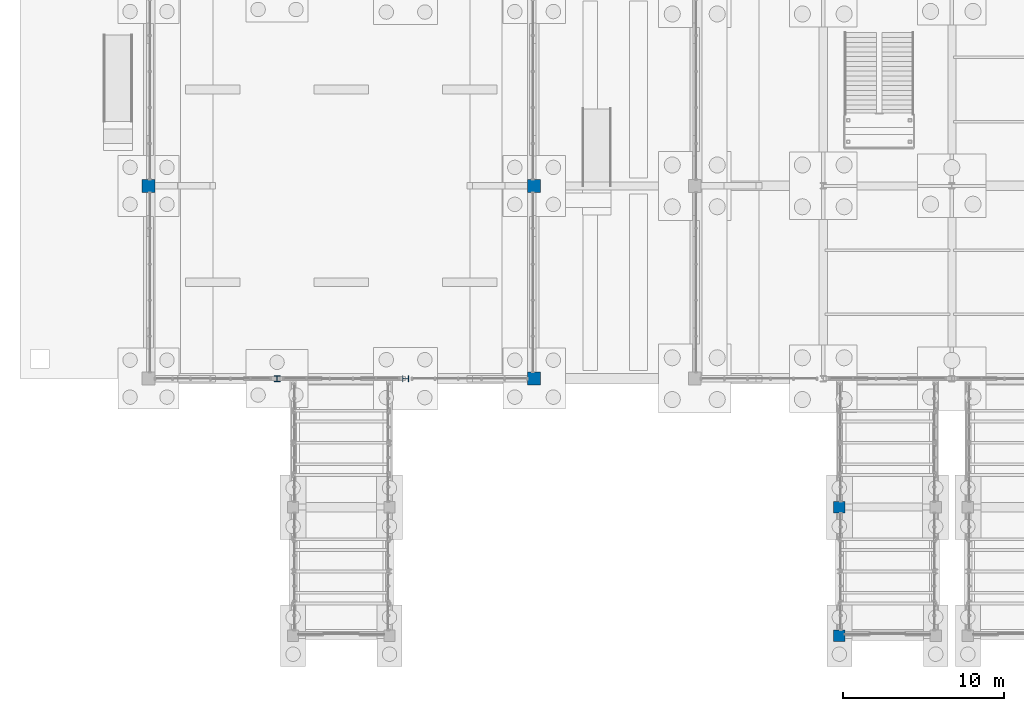
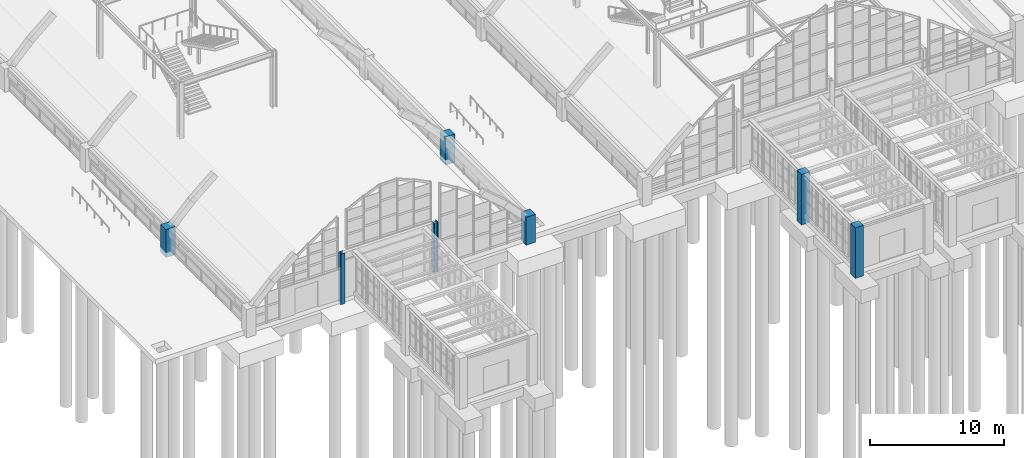
# One storey, part 12 of 129: 7 columns.
"""IFC4 building model written with IfcOpenShell, lengths in metres."""

from ifc_helpers import new_model, si_unit, direction, frame, origin, origin_2d, place, context, subcontext, project, spatial, rectangle, i_section, extrude, material, material_profile, profile_set, type_object, element, save


model = new_model("IFC4")

# Units and contexts
model_context = context("Model", 3, precision=1e-05, world=origin(), true_north=direction((0.0, 1.0)))
body_context = subcontext(model_context, "Body", "Model", "MODEL_VIEW")
ifc_project = project(units=[si_unit("LENGTHUNIT", "METRE"), si_unit("AREAUNIT", "SQUARE_METRE"), si_unit("VOLUMEUNIT", "CUBIC_METRE"), si_unit("PLANEANGLEUNIT", "RADIAN"), si_unit("MASSUNIT", "GRAM", prefix="KILO")], contexts=[model_context])

# Site, building, storey
site_placement = place(None, origin())
site = spatial("IfcSite", under=ifc_project, at=site_placement, CompositionType="ELEMENT")
building_placement = place(site_placement, origin())
building = spatial("IfcBuilding", under=site, at=building_placement, Name="Sitalva Quay Ferry Terminal", CompositionType="ELEMENT")
storey_placement = place(building_placement, origin())
storey = spatial("IfcBuildingStorey", under=building, at=storey_placement, Name="L01", CompositionType="ELEMENT", Elevation=0.0)

# Columns
ifc_material_1 = material(Name="Concrete C35/45", Category="concrete")
ifc_material_profile_1 = material_profile(ifc_material_1, rectangle(XDim=0.699951171875, YDim=0.699951171875, at=origin_2d()), Name="RC700x700")
ifc_profile_set_1 = profile_set([ifc_material_profile_1], Name="Concrete C35/45")
column_type_1 = type_object("IfcColumnType", Name="Col_RC700x700", PredefinedType="COLUMN", material=ifc_profile_set_1)
for number, where, z_axis, x_axis, name in (
    (1, (51.0, -10.0, -0.449951171875), (0.0, 0.0, 1.0), (1.0, 0.0, 0.0), "L01 column X510A"),
    (2, (51.0, -2.0, -0.449951171875), (0.0, 0.0, 1.0), (1.0, 0.0, 0.0), "L01 column X510B"),
):
    element("IfcColumn", number, at=place(storey_placement, frame(where, z_axis=z_axis, x_axis=x_axis)), inside=storey, type_object=column_type_1, Name=name, PredefinedType="COLUMN", context=body_context, shape_type="SweptSolid", body=[
        extrude(rectangle(XDim=0.699951171875, YDim=0.699951171875, at=origin_2d()), origin(), (0.0, 0.0, 1.0), 4.579833984375),
    ])
ifc_material_2 = material(Name="Concrete C40/50", Category="concrete")
ifc_material_profile_2 = material_profile(ifc_material_2, rectangle(XDim=0.800048828125, YDim=0.800048828125, at=origin_2d()), Name="RC800x800")
ifc_profile_set_2 = profile_set([ifc_material_profile_2], Name="Concrete C40/50")
column_type_2 = type_object("IfcColumnType", Name="Col_RC800x800", PredefinedType="COLUMN", material=ifc_profile_set_2)
for number, where, z_axis, x_axis, name in (
    (3, (32.0, 6.0, -0.449951171875), (0.0, 0.0, 1.0), (1.0, 0.0, 0.0), "L01 column 5C"),
    (4, (8.0, 18.0, -0.449951171875), (0.0, 0.0, 1.0), (1.0, 0.0, 0.0), "L01 column 2D"),
    (5, (32.0, 18.0, -0.449951171875), (0.0, 0.0, 1.0), (1.0, 0.0, 0.0), "L01 column 5D"),
):
    element("IfcColumn", number, at=place(storey_placement, frame(where, z_axis=z_axis, x_axis=x_axis)), inside=storey, type_object=column_type_2, Name=name, PredefinedType="COLUMN", context=body_context, shape_type="SweptSolid", body=[
        extrude(rectangle(XDim=0.800048828125, YDim=0.800048828125, at=origin_2d()), origin(), (0.0, 0.0, 1.0), 2.550048828125),
    ])
ifc_material_3 = material(Name="Structural Steel S355JR", Category="steel")
ifc_material_profile_3 = material_profile(ifc_material_3, i_section(OverallWidth=0.3740234375, OverallDepth=0.3720703125, WebThickness=0.016357421875, FlangeThickness=0.026123046875, FilletRadius=0.01611328125, at=origin_2d()), Name="W360x196")
ifc_profile_set_3 = profile_set([ifc_material_profile_3], Name="Structural Steel S355JR")
column_type_3 = type_object("IfcColumnType", Name="Col_W360x196", PredefinedType="COLUMN", material=ifc_profile_set_3)
for number, where, z_axis, x_axis, name in (
    (6, (16.0, 6.0, -0.449951171875), (0.0, 0.0, 1.0), (1.0, 0.0, 0.0), "L01 column 3C"),
    (7, (24.0, 6.0, -0.449951171875), (0.0, 0.0, 1.0), (0.0, 1.0, 0.0), "L01 column 4C"),
):
    element("IfcColumn", number, at=place(storey_placement, frame(where, z_axis=z_axis, x_axis=x_axis)), inside=storey, type_object=column_type_3, Name=name, PredefinedType="COLUMN", context=body_context, shape_type="SweptSolid", body=[
        extrude(i_section(OverallWidth=0.3740234375, OverallDepth=0.3720703125, WebThickness=0.016357421875, FlangeThickness=0.026123046875, FilletRadius=0.01611328125, at=origin_2d()), origin(), (0.0, 0.0, 1.0), 4.579833984375),
    ])

save(model, "model.ifc")
